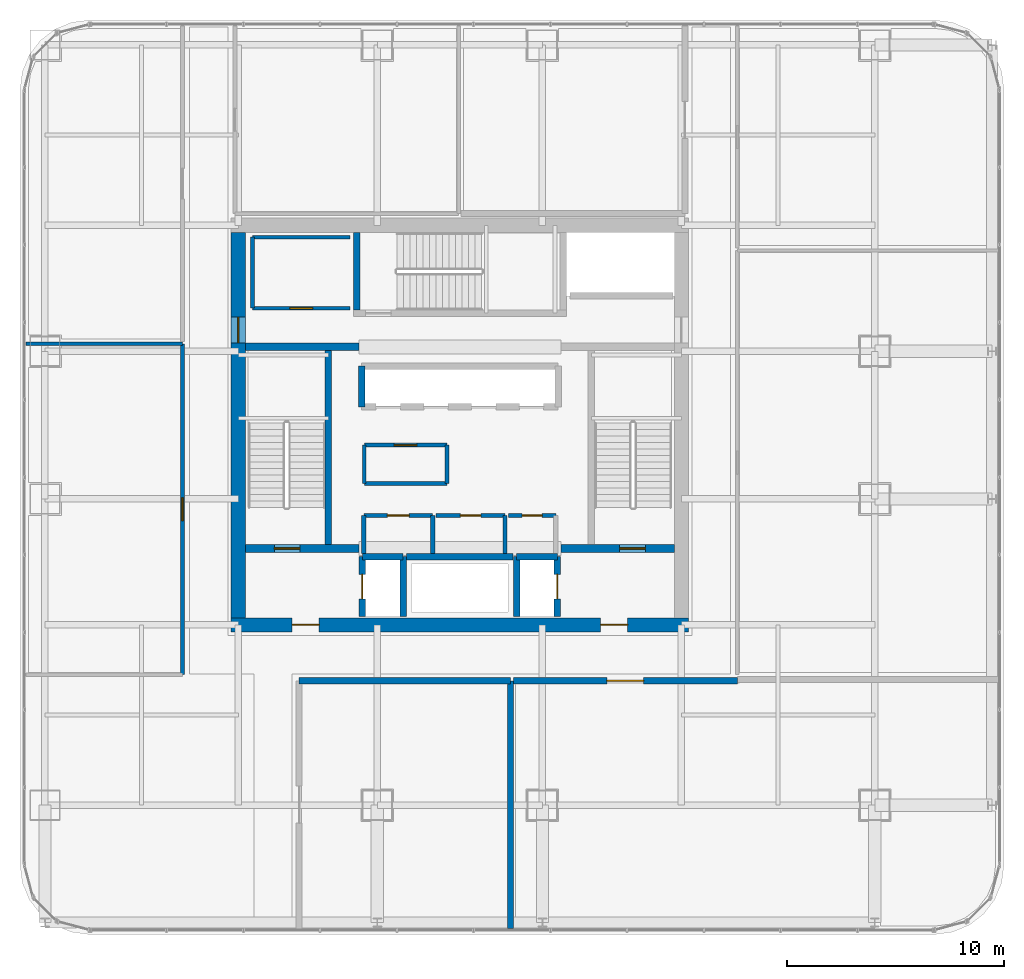
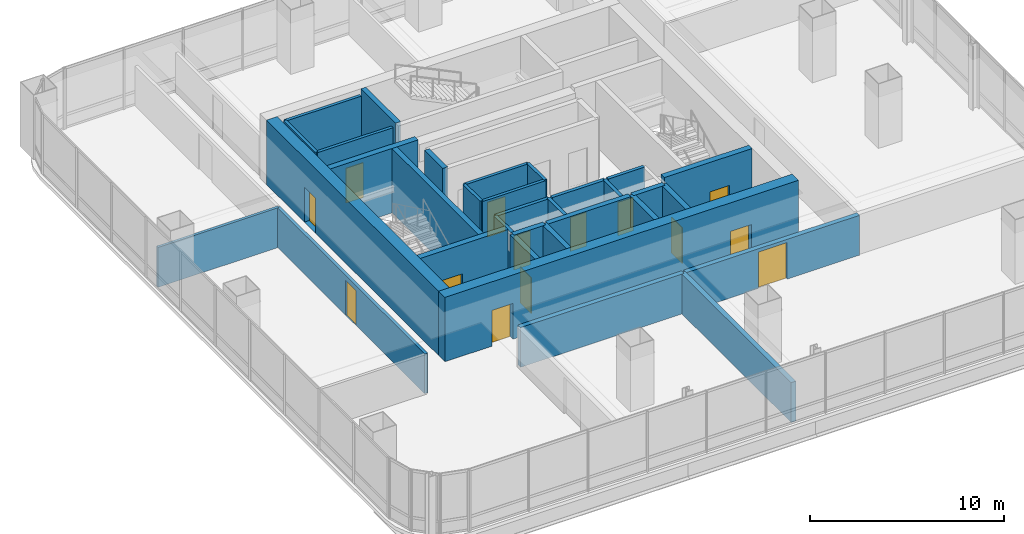
# One storey, part 29 of 35: 33 walls, 14 doors, 14 openings.
"""IFC4 building model written with IfcOpenShell, lengths in metres."""

from ifc_helpers import new_model, si_unit, direction, frame, frame_2d, origin, place, context, subcontext, project, spatial, rectangle, extrude, material, layer, layer_set, type_object, element, fill, save


model = new_model("IFC4")

# Units and contexts
model_context = context("Model", 3, precision=1e-05, world=origin(), true_north=direction((0.0, 1.0)))
body_context = subcontext(model_context, "Body", "Model", "MODEL_VIEW")
ifc_project = project(units=[si_unit("LENGTHUNIT", "METRE"), si_unit("AREAUNIT", "SQUARE_METRE"), si_unit("VOLUMEUNIT", "CUBIC_METRE"), si_unit("PLANEANGLEUNIT", "RADIAN"), si_unit("MASSUNIT", "GRAM", prefix="KILO")], contexts=[model_context])

# Site, building, storey
site_placement = place(None, origin())
site = spatial("IfcSite", under=ifc_project, at=site_placement, CompositionType="ELEMENT")
building_placement = place(site_placement, origin())
building = spatial("IfcBuilding", under=site, at=building_placement, Name="Punatoya Terracotta Tower", CompositionType="ELEMENT")
storey_placement = place(building_placement, frame((0.0, 0.0, 216.75)))
storey = spatial("IfcBuildingStorey", under=building, at=storey_placement, Name="L51", CompositionType="ELEMENT", Elevation=216.75)

# Walls
ifc_material_1 = material(Name="Concrete C40/50", Category="concrete")
ifc_layer_1 = layer(ifc_material_1, 0.280029296875)
ifc_layer_set_1 = layer_set([ifc_layer_1], Name="Concrete C40/50")
wall_type_1 = type_object("IfcWallType", Name="WL-AUD-280", PredefinedType="SOLIDWALL", material=ifc_layer_set_1)
wall_1_placement = place(storey_placement, frame((-7.39990234375, -11.77001953125, 0.0), z_axis=(0.0, 0.0, 1.0), x_axis=(1.0, 0.0, 0.0)))
element("IfcWall", 1, at=wall_1_placement, inside=storey, type_object=wall_type_1, Name="L51 Open-Plan Client Dining Salon Partition 16", PredefinedType="SOLIDWALL", context=body_context, shape_type="SweptSolid", body=[
    extrude(rectangle(XDim=9.739990234375, YDim=0.280029296875, at=frame_2d((4.8701171875, 0.0))), origin(), (0.0, 0.0, 1.0), 2.50390625),
])
wall_2_placement = place(storey_placement, frame((2.340087890625, -11.77001953125, 0.0), z_axis=(0.0, 0.0, 1.0), x_axis=(0.0, -1.0, 0.0)))
element("IfcWall", 2, at=wall_2_placement, inside=storey, type_object=wall_type_1, Name="L51 Open-Plan Client Dining Salon Partition 17", PredefinedType="SOLIDWALL", context=body_context, shape_type="SweptSolid", body=[
    extrude(rectangle(XDim=11.39990234375, YDim=0.280029296875, at=frame_2d((5.699951171875, 0.0))), origin(), (0.0, 0.0, 1.0), 2.50390625),
])

# Wall, opening, door
wall_3_placement = place(storey_placement, frame((2.4599609375, -11.77001953125, 0.0), z_axis=(0.0, 0.0, 1.0), x_axis=(1.0, 0.0, 0.0)))
wall_3 = element("IfcWall", 3, at=wall_3_placement, inside=storey, type_object=wall_type_1, Name="L51 Executive Bistro Lounge Partition 18", PredefinedType="SOLIDWALL", context=body_context, shape_type="SweptSolid", body=[
    extrude(rectangle(XDim=10.31005859375, YDim=0.280029296875, at=frame_2d((5.155029296875, 0.0))), origin(), (0.0, 0.0, 1.0), 2.50390625),
])
opening_1_placement = place(wall_3_placement, frame((4.304931640625, 0.0, 0.0)))
opening_1 = element("IfcOpeningElement", 4, at=opening_1_placement, cuts=wall_3, Name="Opening FD-D1", PredefinedType="OPENING", context=body_context, shape_type="SweptSolid", body=[
    extrude(rectangle(XDim=1.699951171875, YDim=2.300048828125, at=frame_2d((0.85009765625, 1.14990234375))), frame((0.0, 0.14990234375, 0.0), z_axis=(0.0, -1.0, 0.0), x_axis=(1.0, 0.0, 0.0)), (0.0, 0.0, 1.0), 0.300048828125),
])
ifc_material_2 = material(Name="Timber Teak Veneer Fire Leaf", Category="wood")
door_type_1 = type_object("IfcDoorType", Name="DR-DIN-1700", OperationType="NOTDEFINED", PredefinedType="DOOR", material=ifc_material_2)
door_1_placement = place(opening_1_placement, origin())
door_1 = element("IfcDoor", 5, at=door_1_placement, inside=storey, type_object=door_type_1, Name="L51 Executive Bistro Lounge Fire Door", OperationType="DOUBLE_DOOR_SINGLE_SWING", OverallHeight=2.300048828125, OverallWidth=1.699951171875, PredefinedType="DOOR", context=body_context, shape_type="SweptSolid", body=[
    extrude(rectangle(XDim=1.699951171875, YDim=2.300048828125, at=frame_2d((0.85009765625, 1.14990234375))), frame((0.0, 0.02490234375, 0.0), z_axis=(0.0, -1.0, 0.0), x_axis=(1.0, 0.0, 0.0)), (0.0, 0.0, 1.0), 0.050048828125),
])
fill(opening_1, door_1)

# Wall, openings, doors
ifc_material_3 = material(Name="Concrete C60/75", Category="concrete")
ifc_layer_2 = layer(ifc_material_3, 0.64990234375)
ifc_layer_set_2 = layer_set([ifc_layer_2], Name="Concrete C60/75")
wall_type_2 = type_object("IfcWallType", Name="WL-COR-650", PredefinedType="SHEAR", material=ifc_layer_set_2)
wall_4_placement = place(storey_placement, frame((10.52490234375, -9.199951171875, 0.0), z_axis=(0.0, 0.0, 1.0), x_axis=(-1.0, 0.0, 0.0)))
wall_4 = element("IfcWall", 6, at=wall_4_placement, inside=storey, type_object=wall_type_2, Name="L51 Core Shear Wall S", PredefinedType="SHEAR", context=body_context, shape_type="SweptSolid", body=[
    extrude(rectangle(XDim=21.0498046875, YDim=0.64990234375, at=frame_2d((10.52490234375, 0.0))), origin(), (0.0, 0.0, 1.0), 4.050048828125),
])
opening_2_placement = place(wall_4_placement, frame((2.800048828125, 0.0, 0.0)))
opening_2 = element("IfcOpeningElement", 7, at=opening_2_placement, cuts=wall_4, Name="Opening FD-L1", PredefinedType="OPENING", context=body_context, shape_type="SweptSolid", body=[
    extrude(rectangle(XDim=1.25, YDim=2.25, at=frame_2d((0.625, 1.125))), frame((0.0, 0.3349609375, 0.0), z_axis=(0.0, -1.0, 0.0), x_axis=(1.0, 0.0, 0.0)), (0.0, 0.0, 1.0), 0.669921875),
])
opening_3_placement = place(wall_4_placement, frame((17.0, 0.0, 0.0)))
opening_3 = element("IfcOpeningElement", 8, at=opening_3_placement, cuts=wall_4, Name="Opening FD-L1", PredefinedType="OPENING", context=body_context, shape_type="SweptSolid", body=[
    extrude(rectangle(XDim=1.25, YDim=2.25, at=frame_2d((0.625, 1.125))), frame((0.0, 0.3349609375, 0.0), z_axis=(0.0, -1.0, 0.0), x_axis=(1.0, 0.0, 0.0)), (0.0, 0.0, 1.0), 0.669921875),
])
ifc_material_4 = material(Name="Galvanised Steel Smokeproof Fire Door", Category="steel")
door_type_2 = type_object("IfcDoorType", Name="DR-FFL-1250", OperationType="NOTDEFINED", PredefinedType="DOOR", material=ifc_material_4)
door_2_placement = place(opening_2_placement, origin())
door_2 = element("IfcDoor", 9, at=door_2_placement, inside=storey, type_object=door_type_2, Name="L51 East Firefighting Lobby Corridor Fire Door", OperationType="SINGLE_SWING_LEFT", OverallHeight=2.25, OverallWidth=1.25, PredefinedType="DOOR", context=body_context, shape_type="SweptSolid", body=[
    extrude(rectangle(XDim=1.25, YDim=2.25, at=frame_2d((0.625, 1.125))), frame((0.0, 0.02490234375, 0.0), z_axis=(0.0, -1.0, 0.0), x_axis=(1.0, 0.0, 0.0)), (0.0, 0.0, 1.0), 0.050048828125),
])
fill(opening_2, door_2)
door_3_placement = place(opening_3_placement, origin())
door_3 = element("IfcDoor", 10, at=door_3_placement, inside=storey, type_object=door_type_2, Name="L51 West Firefighting Lobby Corridor Fire Door", OperationType="SINGLE_SWING_RIGHT", OverallHeight=2.25, OverallWidth=1.25, PredefinedType="DOOR", context=body_context, shape_type="SweptSolid", body=[
    extrude(rectangle(XDim=1.25, YDim=2.25, at=frame_2d((0.625, 1.125))), frame((0.0, 0.02490234375, 0.0), z_axis=(0.0, -1.0, 0.0), x_axis=(1.0, 0.0, 0.0)), (0.0, 0.0, 1.0), 0.050048828125),
])
fill(opening_3, door_3)

# Wall, opening, door
wall_5_placement = place(storey_placement, frame((-10.199951171875, -8.875, 0.0), z_axis=(0.0, 0.0, 1.0), x_axis=(0.0, 1.0, 0.0)))
wall_5 = element("IfcWall", 11, at=wall_5_placement, inside=storey, type_object=wall_type_2, Name="L51 Core Shear Wall W", PredefinedType="SHEAR", context=body_context, shape_type="SweptSolid", body=[
    extrude(rectangle(XDim=17.75, YDim=0.64990234375, at=frame_2d((8.875, 0.0))), origin(), (0.0, 0.0, 1.0), 4.050048828125),
])
opening_4_placement = place(wall_5_placement, frame((12.6650390625, 0.0, 0.0)))
opening_4 = element("IfcOpeningElement", 12, at=opening_4_placement, cuts=wall_5, Name="Opening SD-01", PredefinedType="OPENING", context=body_context, shape_type="SweptSolid", body=[
    extrude(rectangle(XDim=1.179931640625, YDim=2.199951171875, at=frame_2d((0.58984375, 1.10009765625))), frame((0.0, 0.3349609375, 0.0), z_axis=(0.0, -1.0, 0.0), x_axis=(1.0, 0.0, 0.0)), (0.0, 0.0, 1.0), 0.669921875),
])
ifc_material_5 = material(Name="Galvanised Steel Pressurized Stair Fire Door", Category="steel")
door_type_3 = type_object("IfcDoorType", Name="DR-STR-1180", OperationType="NOTDEFINED", PredefinedType="DOOR", material=ifc_material_5)
door_4_placement = place(opening_4_placement, origin())
door_4 = element("IfcDoor", 13, at=door_4_placement, inside=storey, type_object=door_type_3, Name="L51 Central Lift Lobby West Fire Door", OperationType="SINGLE_SWING_LEFT", OverallHeight=2.199951171875, OverallWidth=1.179931640625, PredefinedType="DOOR", context=body_context, shape_type="SweptSolid", body=[
    extrude(rectangle(XDim=1.179931640625, YDim=2.199951171875, at=frame_2d((0.58984375, 1.10009765625))), frame((0.0, 0.02490234375, 0.0), z_axis=(0.0, -1.0, 0.0), x_axis=(1.0, 0.0, 0.0)), (0.0, 0.0, 1.0), 0.050048828125),
])
fill(opening_4, door_4)

# Wall
ifc_material_6 = material(Name="Gypsum Fireboard + Steel Stud", Category="steel")
ifc_layer_3 = layer(ifc_material_6, 0.179931640625)
ifc_layer_set_3 = layer_set([ifc_layer_3], Name="Gypsum Fireboard + Steel Stud")
wall_type_3 = type_object("IfcWallType", Name="WL-CORR-180", PredefinedType="PARTITIONING", material=ifc_layer_set_3)
wall_6_placement = place(storey_placement, frame((-0.60009765625, -2.679931640625, 0.0), z_axis=(0.0, 0.0, 1.0), x_axis=(0.0, 1.0, 0.0)))
element("IfcWall", 14, at=wall_6_placement, inside=storey, type_object=wall_type_3, Name="L51 West Core Archive Office Partition 08", PredefinedType="PARTITIONING", context=body_context, shape_type="SweptSolid", body=[
    extrude(rectangle(XDim=1.760009765625, YDim=0.179931640625, at=frame_2d((0.8798828125, 0.0))), origin(), (0.0, 0.0, 1.0), 3.830078125),
])

# Wall, opening, door
wall_7_placement = place(storey_placement, frame((-0.60009765625, -0.919921875, 0.0), z_axis=(0.0, 0.0, 1.0), x_axis=(-1.0, 0.0, 0.0)))
wall_7 = element("IfcWall", 15, at=wall_7_placement, inside=storey, type_object=wall_type_3, Name="L51 West Core Archive Office Partition 09", PredefinedType="PARTITIONING", context=body_context, shape_type="SweptSolid", body=[
    extrude(rectangle(XDim=3.7998046875, YDim=0.179931640625, at=frame_2d((1.89990234375, 0.0))), origin(), (0.0, 0.0, 1.0), 3.830078125),
])
opening_5_placement = place(wall_7_placement, frame((1.375, 0.0, 0.0)))
opening_5 = element("IfcOpeningElement", 16, at=opening_5_placement, cuts=wall_7, Name="Opening OD-01", PredefinedType="OPENING", context=body_context, shape_type="SweptSolid", body=[
    extrude(rectangle(XDim=1.050048828125, YDim=2.199951171875, at=frame_2d((0.52490234375, 1.10009765625))), frame((0.0, 0.099853515625, 0.0), z_axis=(0.0, -1.0, 0.0), x_axis=(1.0, 0.0, 0.0)), (0.0, 0.0, 1.0), 0.199951171875),
])
ifc_material_7 = material(Name="Bengal Teak Solid-Core Leaf")
door_type_4 = type_object("IfcDoorType", Name="DR-OFF-1050", OperationType="NOTDEFINED", PredefinedType="DOOR", material=ifc_material_7)
door_5_placement = place(opening_5_placement, origin())
door_5 = element("IfcDoor", 17, at=door_5_placement, inside=storey, type_object=door_type_4, Name="L51 West Archive Office Door", OperationType="SINGLE_SWING_RIGHT", OverallHeight=2.199951171875, OverallWidth=1.050048828125, PredefinedType="DOOR", context=body_context, shape_type="SweptSolid", body=[
    extrude(rectangle(XDim=1.050048828125, YDim=2.199951171875, at=frame_2d((0.52490234375, 1.10009765625))), frame((0.0, 0.02490234375, 0.0), z_axis=(0.0, -1.0, 0.0), x_axis=(1.0, 0.0, 0.0)), (0.0, 0.0, 1.0), 0.050048828125),
])
fill(opening_5, door_5)

# Walls
wall_8_placement = place(storey_placement, frame((-4.39990234375, -0.919921875, 0.0), z_axis=(0.0, 0.0, 1.0), x_axis=(0.0, -1.0, 0.0)))
element("IfcWall", 18, at=wall_8_placement, inside=storey, type_object=wall_type_3, Name="L51 West Core Archive Office Partition 10", PredefinedType="PARTITIONING", context=body_context, shape_type="SweptSolid", body=[
    extrude(rectangle(XDim=1.760009765625, YDim=0.179931640625, at=frame_2d((0.8798828125, 0.0))), origin(), (0.0, 0.0, 1.0), 3.830078125),
])
wall_9_placement = place(storey_placement, frame((-4.39990234375, -2.679931640625, 0.0), z_axis=(0.0, 0.0, 1.0), x_axis=(1.0, 0.0, 0.0)))
element("IfcWall", 19, at=wall_9_placement, inside=storey, type_object=wall_type_3, Name="L51 West Core Archive Office Partition 11", PredefinedType="PARTITIONING", context=body_context, shape_type="SweptSolid", body=[
    extrude(rectangle(XDim=3.7998046875, YDim=0.179931640625, at=frame_2d((1.89990234375, 0.0))), origin(), (0.0, 0.0, 1.0), 3.830078125),
])
wall_10_placement = place(storey_placement, frame((-5.050048828125, 8.64990234375, 0.0), z_axis=(0.0, 0.0, 1.0), x_axis=(-1.0, 0.0, 0.0)))
element("IfcWall", 20, at=wall_10_placement, inside=storey, type_object=wall_type_3, Name="L51 West Core Records Office Partition 12", PredefinedType="PARTITIONING", context=body_context, shape_type="SweptSolid", body=[
    extrude(rectangle(XDim=4.5, YDim=0.179931640625, at=frame_2d((2.25, 0.0))), origin(), (0.0, 0.0, 1.0), 3.830078125),
])
wall_11_placement = place(storey_placement, frame((-9.550048828125, 8.64990234375, 0.0), z_axis=(0.0, 0.0, 1.0), x_axis=(0.0, -1.0, 0.0)))
element("IfcWall", 21, at=wall_11_placement, inside=storey, type_object=wall_type_3, Name="L51 West Core Records Office Partition 13", PredefinedType="PARTITIONING", context=body_context, shape_type="SweptSolid", body=[
    extrude(rectangle(XDim=3.27001953125, YDim=0.179931640625, at=frame_2d((1.635009765625, 0.0))), origin(), (0.0, 0.0, 1.0), 3.830078125),
])

# Wall, opening, door
wall_12_placement = place(storey_placement, frame((-9.550048828125, 5.3798828125, 0.0), z_axis=(0.0, 0.0, 1.0), x_axis=(1.0, 0.0, 0.0)))
wall_12 = element("IfcWall", 22, at=wall_12_placement, inside=storey, type_object=wall_type_3, Name="L51 West Core Records Office Partition 14", PredefinedType="PARTITIONING", context=body_context, shape_type="SweptSolid", body=[
    extrude(rectangle(XDim=4.5, YDim=0.179931640625, at=frame_2d((2.25, 0.0))), origin(), (0.0, 0.0, 1.0), 3.830078125),
])
opening_6_placement = place(wall_12_placement, frame((1.72509765625, 0.0, 0.0)))
opening_6 = element("IfcOpeningElement", 23, at=opening_6_placement, cuts=wall_12, Name="Opening OD-01", PredefinedType="OPENING", context=body_context, shape_type="SweptSolid", body=[
    extrude(rectangle(XDim=1.050048828125, YDim=2.199951171875, at=frame_2d((0.52490234375, 1.10009765625))), frame((0.0, 0.099853515625, 0.0), z_axis=(0.0, -1.0, 0.0), x_axis=(1.0, 0.0, 0.0)), (0.0, 0.0, 1.0), 0.199951171875),
])
door_6_placement = place(opening_6_placement, origin())
door_6 = element("IfcDoor", 24, at=door_6_placement, inside=storey, type_object=door_type_4, Name="L51 West Records Office Door", OperationType="SINGLE_SWING_LEFT", OverallHeight=2.199951171875, OverallWidth=1.050048828125, PredefinedType="DOOR", context=body_context, shape_type="SweptSolid", body=[
    extrude(rectangle(XDim=1.050048828125, YDim=2.199951171875, at=frame_2d((0.52490234375, 1.10009765625))), frame((0.0, 0.02490234375, 0.0), z_axis=(0.0, -1.0, 0.0), x_axis=(1.0, 0.0, 0.0)), (0.0, 0.0, 1.0), 0.050048828125),
])
fill(opening_6, door_6)

wall_13_placement = place(storey_placement, frame((-12.77001953125, 3.739990234375, 0.0), z_axis=(0.0, 0.0, 1.0), x_axis=(0.0, -1.0, 0.0)))
wall_13 = element("IfcWall", 25, at=wall_13_placement, inside=storey, type_object=wall_type_3, Name="L51 Open-Plan Catering Tea Pantry Partition 21", PredefinedType="PARTITIONING", context=body_context, shape_type="SweptSolid", body=[
    extrude(rectangle(XDim=15.22998046875, YDim=0.179931640625, at=frame_2d((7.614990234375, 0.0))), origin(), (0.0, 0.0, 1.0), 2.50390625),
])
opening_7_placement = place(wall_13_placement, frame((7.090087890625, 0.0, 0.0)))
opening_7 = element("IfcOpeningElement", 26, at=opening_7_placement, cuts=wall_13, Name="Opening OD-01", PredefinedType="OPENING", context=body_context, shape_type="SweptSolid", body=[
    extrude(rectangle(XDim=1.050048828125, YDim=2.199951171875, at=frame_2d((0.52490234375, 1.10009765625))), frame((0.0, 0.099853515625, 0.0), z_axis=(0.0, -1.0, 0.0), x_axis=(1.0, 0.0, 0.0)), (0.0, 0.0, 1.0), 0.199951171875),
])
door_7_placement = place(opening_7_placement, origin())
door_7 = element("IfcDoor", 27, at=door_7_placement, inside=storey, type_object=door_type_4, Name="L51 Open-Plan Catering Tea Pantry Door", OperationType="SINGLE_SWING_RIGHT", OverallHeight=2.199951171875, OverallWidth=1.050048828125, PredefinedType="DOOR", context=body_context, shape_type="SweptSolid", body=[
    extrude(rectangle(XDim=1.050048828125, YDim=2.199951171875, at=frame_2d((0.52490234375, 1.10009765625))), frame((0.0, 0.02490234375, 0.0), z_axis=(0.0, -1.0, 0.0), x_axis=(1.0, 0.0, 0.0)), (0.0, 0.0, 1.0), 0.050048828125),
])
fill(opening_7, door_7)

# Wall
ifc_layer_4 = layer(ifc_material_1, 0.199951171875)
ifc_layer_set_4 = layer_set([ifc_layer_4], Name="Concrete C40/50")
wall_type_4 = type_object("IfcWallType", Name="WL-INT-200", PredefinedType="SOLIDWALL", material=ifc_layer_set_4)
wall_14_placement = place(storey_placement, frame((-1.25, -5.89990234375, 0.0), z_axis=(0.0, 0.0, 1.0), x_axis=(0.0, 1.0, 0.0)))
element("IfcWall", 28, at=wall_14_placement, inside=storey, type_object=wall_type_4, Name="L51 Accessible Universal Washroom Partition 01", PredefinedType="SOLIDWALL", context=body_context, shape_type="SweptSolid", body=[
    extrude(rectangle(XDim=1.739990234375, YDim=0.199951171875, at=frame_2d((0.8701171875, 0.0))), origin(), (0.0, 0.0, 1.0), 3.830078125),
])

# Wall, opening, door
wall_15_placement = place(storey_placement, frame((-1.25, -4.159912109375, 0.0), z_axis=(0.0, 0.0, 1.0), x_axis=(-1.0, 0.0, 0.0)))
wall_15 = element("IfcWall", 29, at=wall_15_placement, inside=storey, type_object=wall_type_4, Name="L51 Accessible Universal Washroom Partition 02", PredefinedType="SOLIDWALL", context=body_context, shape_type="SweptSolid", body=[
    extrude(rectangle(XDim=3.169921875, YDim=0.199951171875, at=frame_2d((1.5849609375, 0.0))), origin(), (0.0, 0.0, 1.0), 3.830078125),
])
opening_8_placement = place(wall_15_placement, frame((1.0849609375, 0.0, 0.0)))
opening_8 = element("IfcOpeningElement", 30, at=opening_8_placement, cuts=wall_15, Name="Opening AWD-1", PredefinedType="OPENING", context=body_context, shape_type="SweptSolid", body=[
    extrude(rectangle(XDim=1.0, YDim=2.14990234375, at=frame_2d((0.5, 1.074951171875))), frame((0.0, 0.10986328125, 0.0), z_axis=(0.0, -1.0, 0.0), x_axis=(1.0, 0.0, 0.0)), (0.0, 0.0, 1.0), 0.219970703125),
])
ifc_material_8 = material(Name="Bengal Teak Accessible WC Leaf")
door_type_5 = type_object("IfcDoorType", Name="DR-ACC-1000", OperationType="NOTDEFINED", PredefinedType="DOOR", material=ifc_material_8)
door_8_placement = place(opening_8_placement, origin())
door_8 = element("IfcDoor", 31, at=door_8_placement, inside=storey, type_object=door_type_5, Name="L51 Accessible Universal Washroom Door", OperationType="SINGLE_SWING_LEFT", OverallHeight=2.14990234375, OverallWidth=1.0, PredefinedType="DOOR", context=body_context, shape_type="SweptSolid", body=[
    extrude(rectangle(XDim=1.0, YDim=2.14990234375, at=frame_2d((0.5, 1.074951171875))), frame((0.0, 0.02490234375, 0.0), z_axis=(0.0, -1.0, 0.0), x_axis=(1.0, 0.0, 0.0)), (0.0, 0.0, 1.0), 0.050048828125),
])
fill(opening_8, door_8)

# Walls
for number, where, z_axis, x_axis, name in (
    (32, (-4.419921875, -4.159912109375, 0.0), (0.0, 0.0, 1.0), (0.0, -1.0, 0.0), "L51 Accessible Universal Washroom Partition 03"),
    (33, (2.080078125, -5.89990234375, 0.0), (0.0, 0.0, 1.0), (0.0, 1.0, 0.0), "L51 All-Gender Universal Washroom Partition 04"),
):
    element("IfcWall", number, at=place(storey_placement, frame(where, z_axis=z_axis, x_axis=x_axis)), inside=storey, type_object=wall_type_4, Name=name, PredefinedType="SOLIDWALL", context=body_context, shape_type="SweptSolid", body=[
        extrude(rectangle(XDim=1.739990234375, YDim=0.199951171875, at=frame_2d((0.8701171875, 0.0))), origin(), (0.0, 0.0, 1.0), 3.830078125),
    ])

# Wall, opening, door
wall_16_placement = place(storey_placement, frame((2.080078125, -4.159912109375, 0.0), z_axis=(0.0, 0.0, 1.0), x_axis=(-1.0, 0.0, 0.0)))
wall_16 = element("IfcWall", 34, at=wall_16_placement, inside=storey, type_object=wall_type_4, Name="L51 All-Gender Universal Washroom Partition 05", PredefinedType="SOLIDWALL", context=body_context, shape_type="SweptSolid", body=[
    extrude(rectangle(XDim=3.170166015625, YDim=0.199951171875, at=frame_2d((1.5849609375, 0.0))), origin(), (0.0, 0.0, 1.0), 3.830078125),
])
opening_9_placement = place(wall_16_placement, frame((1.110107421875, 0.0, 0.0)))
opening_9 = element("IfcOpeningElement", 35, at=opening_9_placement, cuts=wall_16, Name="Opening WD-01", PredefinedType="OPENING", context=body_context, shape_type="SweptSolid", body=[
    extrude(rectangle(XDim=0.949951171875, YDim=2.14990234375, at=frame_2d((0.47509765625, 1.074951171875))), frame((0.0, 0.10986328125, 0.0), z_axis=(0.0, -1.0, 0.0), x_axis=(1.0, 0.0, 0.0)), (0.0, 0.0, 1.0), 0.219970703125),
])
ifc_material_9 = material(Name="Moisture-Resistant Laminate Timber Leaf", Category="wood")
door_type_6 = type_object("IfcDoorType", Name="DR-WC-950", OperationType="NOTDEFINED", PredefinedType="DOOR", material=ifc_material_9)
door_9_placement = place(opening_9_placement, origin())
door_9 = element("IfcDoor", 36, at=door_9_placement, inside=storey, type_object=door_type_6, Name="L51 All-Gender Universal Washroom Door", OperationType="SINGLE_SWING_RIGHT", OverallHeight=2.14990234375, OverallWidth=0.949951171875, PredefinedType="DOOR", context=body_context, shape_type="SweptSolid", body=[
    extrude(rectangle(XDim=0.949951171875, YDim=2.14990234375, at=frame_2d((0.47509765625, 1.074951171875))), frame((0.0, 0.02490234375, 0.0), z_axis=(0.0, -1.0, 0.0), x_axis=(1.0, 0.0, 0.0)), (0.0, 0.0, 1.0), 0.050048828125),
])
fill(opening_9, door_9)

wall_17_placement = place(storey_placement, frame((4.419921875, -4.159912109375, 0.0), z_axis=(0.0, 0.0, 1.0), x_axis=(-1.0, 0.0, 0.0)))
wall_17 = element("IfcWall", 37, at=wall_17_placement, inside=storey, type_object=wall_type_4, Name="L51 Core Electrical Switchgear Room Partition 07", PredefinedType="SOLIDWALL", context=body_context, shape_type="SweptSolid", body=[
    extrude(rectangle(XDim=2.179931640625, YDim=0.199951171875, at=frame_2d((1.08984375, 0.0))), origin(), (0.0, 0.0, 1.0), 3.830078125),
])
opening_10_placement = place(wall_17_placement, frame((0.6298828125, 0.0, 0.0)))
opening_10 = element("IfcOpeningElement", 38, at=opening_10_placement, cuts=wall_17, Name="Opening FD-R1", PredefinedType="OPENING", context=body_context, shape_type="SweptSolid", body=[
    extrude(rectangle(XDim=0.919921875, YDim=2.10009765625, at=frame_2d((0.4599609375, 1.050048828125))), frame((0.0, 0.10986328125, 0.0), z_axis=(0.0, -1.0, 0.0), x_axis=(1.0, 0.0, 0.0)), (0.0, 0.0, 1.0), 0.219970703125),
])
ifc_material_10 = material(Name="Galvanised Steel Riser Fire Access Door", Category="steel")
door_type_7 = type_object("IfcDoorType", Name="DR-RSR-920", OperationType="NOTDEFINED", PredefinedType="DOOR", material=ifc_material_10)
door_10_placement = place(opening_10_placement, origin())
door_10 = element("IfcDoor", 39, at=door_10_placement, inside=storey, type_object=door_type_7, Name="L51 Core Electrical Switchgear Room Fire Door", OperationType="SINGLE_SWING_LEFT", OverallHeight=2.10009765625, OverallWidth=0.919921875, PredefinedType="DOOR", context=body_context, shape_type="SweptSolid", body=[
    extrude(rectangle(XDim=0.919921875, YDim=2.10009765625, at=frame_2d((0.4599609375, 1.050048828125))), frame((0.0, 0.02490234375, 0.0), z_axis=(0.0, -1.0, 0.0), x_axis=(1.0, 0.0, 0.0)), (0.0, 0.0, 1.0), 0.050048828125),
])
fill(opening_10, door_10)

# Walls
ifc_layer_5 = layer(ifc_material_1, 0.300048828125)
ifc_layer_set_5 = layer_set([ifc_layer_5], Name="Concrete C40/50")
wall_type_5 = type_object("IfcWallType", Name="WL-SHF-300", PredefinedType="SOLIDWALL", material=ifc_layer_set_5)
wall_18_placement = place(storey_placement, frame((-6.050048828125, -5.5, 0.0), z_axis=(0.0, 0.0, 1.0), x_axis=(0.0, 1.0, 0.0)))
element("IfcWall", 40, at=wall_18_placement, inside=storey, type_object=wall_type_5, Name="L51 Structural Stair Shaft Wall SW-ST1-E", PredefinedType="SOLIDWALL", context=body_context, shape_type="SweptSolid", body=[
    extrude(rectangle(XDim=8.949951171875, YDim=0.300048828125, at=frame_2d((4.47509765625, 0.0))), origin(), (0.0, 0.0, 1.0), 4.050048828125),
])
wall_19_placement = place(storey_placement, frame((-4.75, 5.300048828125, 0.0), z_axis=(0.0, 0.0, 1.0), x_axis=(0.0, 1.0, 0.0)))
element("IfcWall", 41, at=wall_19_placement, inside=storey, type_object=wall_type_5, Name="L51 Structural Stair Shaft Wall SW-ST3-W", PredefinedType="SOLIDWALL", context=body_context, shape_type="SweptSolid", body=[
    extrude(rectangle(XDim=3.574951171875, YDim=0.300048828125, at=frame_2d((1.78759765625, 0.0))), origin(), (0.0, 0.0, 1.0), 4.050048828125),
])

# Wall, opening, door
wall_20_placement = place(storey_placement, frame((-4.489990234375, -8.820068359375, 0.0), z_axis=(0.0, 0.0, 1.0), x_axis=(0.0, 1.0, 0.0)))
wall_20 = element("IfcWall", 42, at=wall_20_placement, inside=storey, type_object=wall_type_5, Name="L51 FFL-1 Front Hoistway Wall", PredefinedType="SOLIDWALL", context=body_context, shape_type="SweptSolid", body=[
    extrude(rectangle(XDim=2.77001953125, YDim=0.300048828125, at=frame_2d((1.385009765625, 0.0))), origin(), (0.0, 0.0, 1.0), 3.830078125),
])
opening_11_placement = place(wall_20_placement, frame((0.824951171875, 0.0, 0.0)))
opening_11 = element("IfcOpeningElement", 43, at=opening_11_placement, cuts=wall_20, Name="Opening LD-02", PredefinedType="OPENING", context=body_context, shape_type="SweptSolid", body=[
    extrude(rectangle(XDim=1.1201171875, YDim=2.25, at=frame_2d((0.56005859375, 1.125))), frame((0.0, 0.159912109375, 0.0), z_axis=(0.0, -1.0, 0.0), x_axis=(1.0, 0.0, 0.0)), (0.0, 0.0, 1.0), 0.320068359375),
])
ifc_material_11 = material(Name="Stainless Steel Lift Landing Door", Category="steel")
door_type_8 = type_object("IfcDoorType", Name="DR-LND-1120", OperationType="NOTDEFINED", PredefinedType="DOOR", material=ifc_material_11)
door_11_placement = place(opening_11_placement, origin())
door_11 = element("IfcDoor", 44, at=door_11_placement, inside=storey, type_object=door_type_8, Name="L51 Firefighting Lift FFL-1 Sliding Landing Door", OperationType="SLIDING_TO_LEFT", OverallHeight=2.25, OverallWidth=1.1201171875, PredefinedType="DOOR", context=body_context, shape_type="SweptSolid", body=[
    extrude(rectangle(XDim=1.1201171875, YDim=2.25, at=frame_2d((0.56005859375, 1.125))), frame((0.0, 0.02490234375, 0.0), z_axis=(0.0, -1.0, 0.0), x_axis=(1.0, 0.0, 0.0)), (0.0, 0.0, 1.0), 0.050048828125),
])
fill(opening_11, door_11)

# Walls
wall_21_placement = place(storey_placement, frame((-2.610107421875, -8.820068359375, 0.0), z_axis=(0.0, 0.0, 1.0), x_axis=(0.0, 1.0, 0.0)))
element("IfcWall", 45, at=wall_21_placement, inside=storey, type_object=wall_type_5, Name="L51 FFL-1 Rear Hoistway Wall", PredefinedType="SOLIDWALL", context=body_context, shape_type="SweptSolid", body=[
    extrude(rectangle(XDim=2.77001953125, YDim=0.300048828125, at=frame_2d((1.385009765625, 0.0))), origin(), (0.0, 0.0, 1.0), 3.830078125),
])
wall_22_placement = place(storey_placement, frame((-4.489990234375, -6.050048828125, 0.0), z_axis=(0.0, 0.0, 1.0), x_axis=(1.0, 0.0, 0.0)))
element("IfcWall", 46, at=wall_22_placement, inside=storey, type_object=wall_type_5, Name="L51 FFL-1 North Hoistway Wall", PredefinedType="SOLIDWALL", context=body_context, shape_type="SweptSolid", body=[
    extrude(rectangle(XDim=1.8798828125, YDim=0.300048828125, at=frame_2d((0.93994140625, 0.0))), origin(), (0.0, 0.0, 1.0), 3.830078125),
])

# Wall, opening, door
wall_23_placement = place(storey_placement, frame((4.489990234375, -8.820068359375, 0.0), z_axis=(0.0, 0.0, 1.0), x_axis=(0.0, 1.0, 0.0)))
wall_23 = element("IfcWall", 47, at=wall_23_placement, inside=storey, type_object=wall_type_5, Name="L51 FFL-2 Front Hoistway Wall", PredefinedType="SOLIDWALL", context=body_context, shape_type="SweptSolid", body=[
    extrude(rectangle(XDim=2.77001953125, YDim=0.300048828125, at=frame_2d((1.385009765625, 0.0))), origin(), (0.0, 0.0, 1.0), 3.830078125),
])
opening_12_placement = place(wall_23_placement, frame((0.824951171875, 0.0, 0.0)))
opening_12 = element("IfcOpeningElement", 48, at=opening_12_placement, cuts=wall_23, Name="Opening LD-02", PredefinedType="OPENING", context=body_context, shape_type="SweptSolid", body=[
    extrude(rectangle(XDim=1.1201171875, YDim=2.25, at=frame_2d((0.56005859375, 1.125))), frame((0.0, 0.159912109375, 0.0), z_axis=(0.0, -1.0, 0.0), x_axis=(1.0, 0.0, 0.0)), (0.0, 0.0, 1.0), 0.320068359375),
])
door_12_placement = place(opening_12_placement, origin())
door_12 = element("IfcDoor", 49, at=door_12_placement, inside=storey, type_object=door_type_8, Name="L51 Firefighting Lift FFL-2 Sliding Landing Door", OperationType="SLIDING_TO_RIGHT", OverallHeight=2.25, OverallWidth=1.1201171875, PredefinedType="DOOR", context=body_context, shape_type="SweptSolid", body=[
    extrude(rectangle(XDim=1.1201171875, YDim=2.25, at=frame_2d((0.56005859375, 1.125))), frame((0.0, 0.02490234375, 0.0), z_axis=(0.0, -1.0, 0.0), x_axis=(1.0, 0.0, 0.0)), (0.0, 0.0, 1.0), 0.050048828125),
])
fill(opening_12, door_12)

# Walls
wall_24_placement = place(storey_placement, frame((2.610107421875, -8.820068359375, 0.0), z_axis=(0.0, 0.0, 1.0), x_axis=(0.0, 1.0, 0.0)))
element("IfcWall", 50, at=wall_24_placement, inside=storey, type_object=wall_type_5, Name="L51 FFL-2 Rear Hoistway Wall", PredefinedType="SOLIDWALL", context=body_context, shape_type="SweptSolid", body=[
    extrude(rectangle(XDim=2.77001953125, YDim=0.300048828125, at=frame_2d((1.385009765625, 0.0))), origin(), (0.0, 0.0, 1.0), 3.830078125),
])
for number, where, z_axis, x_axis, name in (
    (51, (2.610107421875, -6.050048828125, 0.0), (0.0, 0.0, 1.0), (1.0, 0.0, 0.0), "L51 FFL-2 North Hoistway Wall"),
    (52, (-4.52001953125, 0.840087890625, 0.0), (0.0, 0.0, 1.0), (0.0, 1.0, 0.0), "L51 North Lift Bank West End Wall"),
):
    element("IfcWall", number, at=place(storey_placement, frame(where, z_axis=z_axis, x_axis=x_axis)), inside=storey, type_object=wall_type_5, Name=name, PredefinedType="SOLIDWALL", context=body_context, shape_type="SweptSolid", body=[
        extrude(rectangle(XDim=1.8798828125, YDim=0.300048828125, at=frame_2d((0.93994140625, 0.0))), origin(), (0.0, 0.0, 1.0), 3.830078125),
    ])
wall_25_placement = place(storey_placement, frame((-2.449951171875, -6.050048828125, 0.0), z_axis=(0.0, 0.0, 1.0), x_axis=(1.0, 0.0, 0.0)))
element("IfcWall", 53, at=wall_25_placement, inside=storey, type_object=wall_type_5, Name="L51 Observation Shuttle Rear Hoistway Wall", PredefinedType="SOLIDWALL", context=body_context, shape_type="SweptSolid", body=[
    extrude(rectangle(XDim=4.89990234375, YDim=0.300048828125, at=frame_2d((2.449951171875, 0.0))), origin(), (0.0, 0.0, 1.0), 3.830078125),
])

# Wall, opening, door
ifc_material_12 = material(Name="Concrete C50/60", Category="concrete")
ifc_layer_6 = layer(ifc_material_12, 0.35009765625)
ifc_layer_set_6 = layer_set([ifc_layer_6], Name="Concrete C50/60")
wall_type_6 = type_object("IfcWallType", Name="WL-SHF-350", PredefinedType="SOLIDWALL", material=ifc_layer_set_6)
wall_26_placement = place(storey_placement, frame((-9.875, -5.679931640625, 0.0), z_axis=(0.0, 0.0, 1.0), x_axis=(1.0, 0.0, 0.0)))
wall_26 = element("IfcWall", 54, at=wall_26_placement, inside=storey, type_object=wall_type_6, Name="L51 Core Web Wall CSW-L", PredefinedType="SOLIDWALL", context=body_context, shape_type="SweptSolid", body=[
    extrude(rectangle(XDim=5.22509765625, YDim=0.35009765625, at=frame_2d((2.612548828125, 0.0))), origin(), (0.0, 0.0, 1.0), 4.050048828125),
])
opening_13_placement = place(wall_26_placement, frame((1.3349609375, 0.0, 0.0)))
opening_13 = element("IfcOpeningElement", 55, at=opening_13_placement, cuts=wall_26, Name="Opening SD-01", PredefinedType="OPENING", context=body_context, shape_type="SweptSolid", body=[
    extrude(rectangle(XDim=1.179931640625, YDim=2.199951171875, at=frame_2d((0.58984375, 1.10009765625))), frame((0.0, 0.18505859375, 0.0), z_axis=(0.0, -1.0, 0.0), x_axis=(1.0, 0.0, 0.0)), (0.0, 0.0, 1.0), 0.3701171875),
])
door_13_placement = place(opening_13_placement, origin())
door_13 = element("IfcDoor", 56, at=door_13_placement, inside=storey, type_object=door_type_3, Name="L51 Stair ST-1 Smokeproof Lobby Fire Door", OperationType="SINGLE_SWING_LEFT", OverallHeight=2.199951171875, OverallWidth=1.179931640625, PredefinedType="DOOR", context=body_context, shape_type="SweptSolid", body=[
    extrude(rectangle(XDim=1.179931640625, YDim=2.199951171875, at=frame_2d((0.58984375, 1.10009765625))), frame((0.0, 0.02490234375, 0.0), z_axis=(0.0, -1.0, 0.0), x_axis=(1.0, 0.0, 0.0)), (0.0, 0.0, 1.0), 0.050048828125),
])
fill(opening_13, door_13)

wall_27_placement = place(storey_placement, frame((4.64990234375, -5.679931640625, 0.0), z_axis=(0.0, 0.0, 1.0), x_axis=(1.0, 0.0, 0.0)))
wall_27 = element("IfcWall", 57, at=wall_27_placement, inside=storey, type_object=wall_type_6, Name="L51 Core Web Wall CSW-R", PredefinedType="SOLIDWALL", context=body_context, shape_type="SweptSolid", body=[
    extrude(rectangle(XDim=5.22509765625, YDim=0.35009765625, at=frame_2d((2.612548828125, 0.0))), origin(), (0.0, 0.0, 1.0), 4.050048828125),
])
opening_14_placement = place(wall_27_placement, frame((2.7099609375, 0.0, 0.0)))
opening_14 = element("IfcOpeningElement", 58, at=opening_14_placement, cuts=wall_27, Name="Opening SD-01", PredefinedType="OPENING", context=body_context, shape_type="SweptSolid", body=[
    extrude(rectangle(XDim=1.179931640625, YDim=2.199951171875, at=frame_2d((0.58984375, 1.10009765625))), frame((0.0, 0.18505859375, 0.0), z_axis=(0.0, -1.0, 0.0), x_axis=(1.0, 0.0, 0.0)), (0.0, 0.0, 1.0), 0.3701171875),
])
door_14_placement = place(opening_14_placement, origin())
door_14 = element("IfcDoor", 59, at=door_14_placement, inside=storey, type_object=door_type_3, Name="L51 Stair ST-2 Smokeproof Lobby Fire Door", OperationType="SINGLE_SWING_RIGHT", OverallHeight=2.199951171875, OverallWidth=1.179931640625, PredefinedType="DOOR", context=body_context, shape_type="SweptSolid", body=[
    extrude(rectangle(XDim=1.179931640625, YDim=2.199951171875, at=frame_2d((0.58984375, 1.10009765625))), frame((0.0, 0.02490234375, 0.0), z_axis=(0.0, -1.0, 0.0), x_axis=(1.0, 0.0, 0.0)), (0.0, 0.0, 1.0), 0.050048828125),
])
fill(opening_14, door_14)

# Walls
wall_28_placement = place(storey_placement, frame((-9.875, 3.60009765625, 0.0), z_axis=(0.0, 0.0, 1.0), x_axis=(1.0, 0.0, 0.0)))
element("IfcWall", 60, at=wall_28_placement, inside=storey, type_object=wall_type_6, Name="L51 Core Web Wall CNW-L", PredefinedType="SOLIDWALL", context=body_context, shape_type="SweptSolid", body=[
    extrude(rectangle(XDim=5.22509765625, YDim=0.35009765625, at=frame_2d((2.612548828125, 0.0))), origin(), (0.0, 0.0, 1.0), 4.050048828125),
])
ifc_material_13 = material(Name="Masonry Blockwork + Ceramic Tile", Category="masonry")
ifc_layer_7 = layer(ifc_material_13, 0.159912109375)
ifc_layer_set_7 = layer_set([ifc_layer_7], Name="Masonry Blockwork + Ceramic Tile")
wall_type_7 = type_object("IfcWallType", Name="WL-WET-160", PredefinedType="PARTITIONING", material=ifc_layer_set_7)
wall_29_placement = place(storey_placement, frame((-19.969970703125, 3.739990234375, 0.0), z_axis=(0.0, 0.0, 1.0), x_axis=(1.0, 0.0, 0.0)))
element("IfcWall", 61, at=wall_29_placement, inside=storey, type_object=wall_type_7, Name="L51 Open-Plan Catering Tea Pantry Partition 20", PredefinedType="PARTITIONING", context=body_context, shape_type="SweptSolid", body=[
    extrude(rectangle(XDim=7.199951171875, YDim=0.159912109375, at=frame_2d((3.60009765625, 0.0))), origin(), (0.0, 0.0, 1.0), 2.50390625),
])

save(model, "model.ifc")
